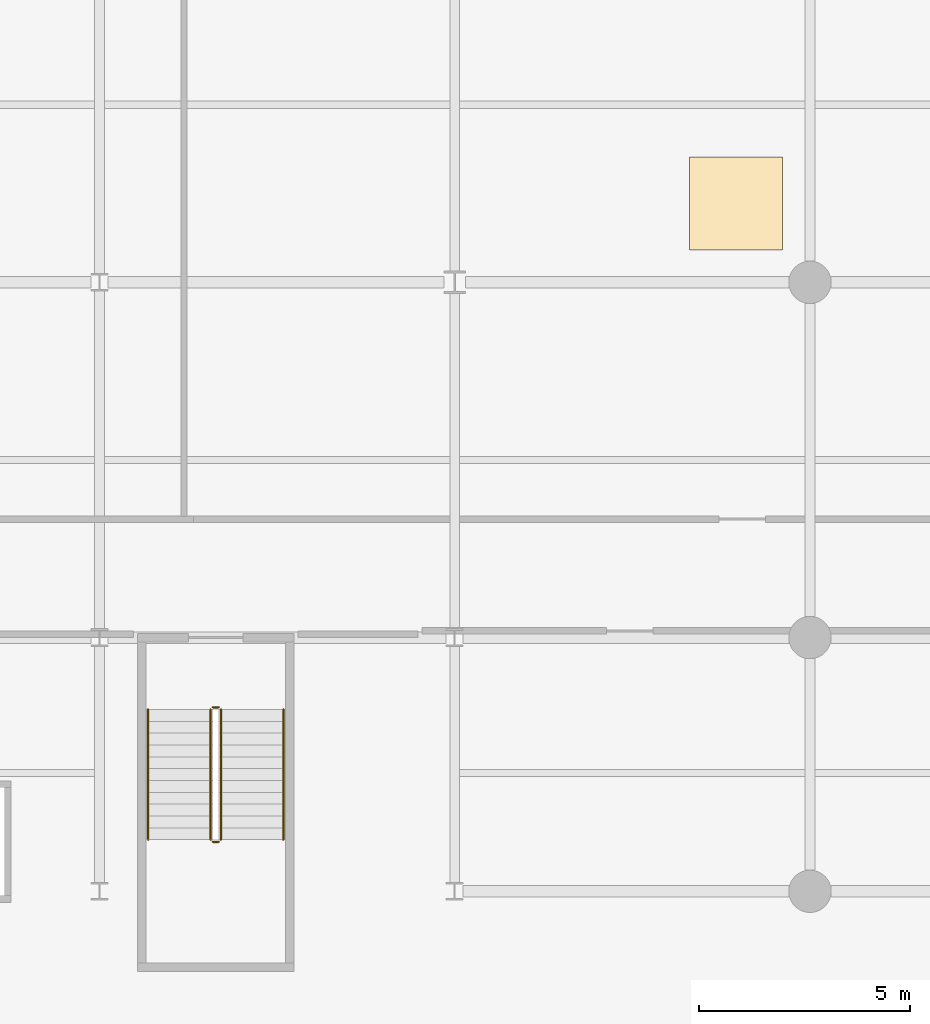
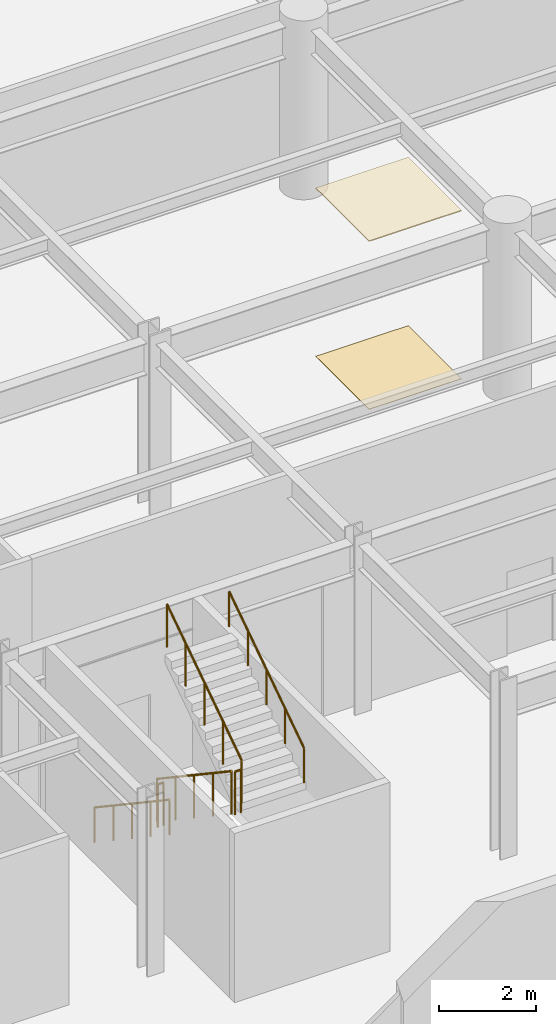
# One storey, part 22 of 26: 6 railings, 2 coverings.
"""IFC4 building model written with IfcOpenShell, lengths in metres."""

from ifc_helpers import new_model, si_unit, direction, frame, origin, origin_2d, place, context, subcontext, project, spatial, rectangle, circle, extrude, material, layer, layer_set, type_object, element, save


model = new_model("IFC4")

# Units and contexts
model_context = context("Model", 3, precision=1e-05, world=origin(), true_north=direction((0.0, 1.0)))
body_context = subcontext(model_context, "Body", "Model", "MODEL_VIEW")
ifc_project = project(units=[si_unit("LENGTHUNIT", "METRE"), si_unit("AREAUNIT", "SQUARE_METRE"), si_unit("VOLUMEUNIT", "CUBIC_METRE"), si_unit("PLANEANGLEUNIT", "RADIAN"), si_unit("MASSUNIT", "GRAM", prefix="KILO")], contexts=[model_context])

# Site, building, storey
site_placement = place(None, origin())
site = spatial("IfcSite", under=ifc_project, at=site_placement, CompositionType="ELEMENT")
building_placement = place(site_placement, origin())
building = spatial("IfcBuilding", under=site, at=building_placement, Name="Varnakote Quay Hospital", CompositionType="ELEMENT")
storey_placement = place(building_placement, frame((0.0, 0.0, 9.0)))
storey = spatial("IfcBuildingStorey", under=building, at=storey_placement, Name="L02", CompositionType="ELEMENT", Elevation=9.0)

# Coverings
ifc_material_1 = material(Name="Antimicrobial acoustic mineral ceiling tile", Category="gypsum")
ifc_layer_1 = layer(ifc_material_1, 0.02490234375)
ifc_layer_set_1 = layer_set([ifc_layer_1], Name="Antimicrobial acoustic mineral ceiling tile")
covering_type_1 = type_object("IfcCoveringType", Name="COV-CLIN-CEIL-25", PredefinedType="CEILING", material=ifc_layer_set_1)
covering_1_placement = place(storey_placement, frame((57.050048828125, 22.260009765625, 4.22509765625), z_axis=(0.0, 0.0, 1.0), x_axis=(1.0, 0.0, 0.0)))
element("IfcCovering", 1, at=covering_1_placement, inside=storey, type_object=covering_type_1, Name="L02 Antimicrobial Acoustic Ceiling Tile", PredefinedType="CEILING", context=body_context, shape_type="SweptSolid", body=[
    extrude(rectangle(XDim=2.199951171875, YDim=2.199951171875, at=origin_2d()), origin(), (0.0, 0.0, 1.0), 0.02490234375),
])
ifc_material_2 = material(Name="Seamless clinical sheet vinyl flooring")
ifc_layer_2 = layer(ifc_material_2, 0.011962890625)
ifc_layer_set_2 = layer_set([ifc_layer_2], Name="Seamless clinical sheet vinyl flooring")
covering_type_2 = type_object("IfcCoveringType", Name="COV-CLIN-VINYL-12", PredefinedType="FLOORING", material=ifc_layer_set_2)
covering_2_placement = place(storey_placement, frame((57.050048828125, 22.260009765625, 0.0), z_axis=(0.0, 0.0, 1.0), x_axis=(1.0, 0.0, 0.0)))
element("IfcCovering", 2, at=covering_2_placement, inside=storey, type_object=covering_type_2, Name="L02 Seamless Clinical Vinyl Flooring", PredefinedType="FLOORING", context=body_context, shape_type="SweptSolid", body=[
    extrude(rectangle(XDim=2.199951171875, YDim=2.199951171875, at=origin_2d()), origin(), (0.0, 0.0, 1.0), 0.011962890625),
])

# Railings
ifc_material_3 = material(Name="Brushed stainless steel balustrade", Category="steel")
railing_type_1 = type_object("IfcRailingType", Name="RLG-STAIR-GUARD-1150", PredefinedType="GUARDRAIL", material=ifc_material_3)
railing_1_placement = place(storey_placement, frame((44.6298828125, 10.300048828125, 0.1875)))
element("IfcRailing", 3, at=railing_1_placement, inside=storey, type_object=railing_type_1, Name="L02 ST-03 stair guard 1", PredefinedType="GUARDRAIL", context=body_context, shape_type="SweptSolid", body=[
    extrude(circle(Radius=0.02392578125, at=origin_2d()), frame((0.0, 0.0, 1.076171875), z_axis=(0.0, -0.830913701846, 0.55640131208), x_axis=(1.0, 0.0, 0.0)), (0.0, 0.0, 1.0), 3.706787109375),
    extrude(circle(Radius=0.02099609375, at=origin_2d()), origin(), (0.0, 0.0, 1.0), 1.052001953125),
    extrude(circle(Radius=0.02099609375, at=origin_2d()), frame((0.0, -0.77001953125, 0.515625)), (0.0, 0.0, 1.0), 1.052001953125),
    extrude(circle(Radius=0.02099609375, at=origin_2d()), frame((0.0, -1.5400390625, 1.03125)), (0.0, 0.0, 1.0), 1.052001953125),
    extrude(circle(Radius=0.02099609375, at=origin_2d()), frame((0.0, -2.31005859375, 1.546875)), (0.0, 0.0, 1.0), 1.052001953125),
    extrude(circle(Radius=0.02099609375, at=origin_2d()), frame((0.0, -3.080078125, 2.0625)), (0.0, 0.0, 1.0), 1.052001953125),
])
railing_2_placement = place(storey_placement, frame((44.679931640625, 7.169921875, 2.25)))
element("IfcRailing", 4, at=railing_2_placement, inside=storey, type_object=railing_type_1, Name="L02 ST-03 stair guard 2", PredefinedType="GUARDRAIL", context=body_context, shape_type="SweptSolid", body=[
    extrude(circle(Radius=0.02392578125, at=origin_2d()), frame((0.0, 0.0, 1.076171875), z_axis=(1.0, 0.0, 0.0), x_axis=(0.0, 1.0, 0.0)), (0.0, 0.0, 1.0), 0.14013671875),
    extrude(circle(Radius=0.02099609375, at=origin_2d()), origin(), (0.0, 0.0, 1.0), 1.052001953125),
    extrude(circle(Radius=0.02099609375, at=origin_2d()), frame((0.14013671875, 0.0, 0.0)), (0.0, 0.0, 1.0), 1.052001953125),
])
railing_3_placement = place(storey_placement, frame((44.8701171875, 7.219970703125, 2.4375)))
element("IfcRailing", 5, at=railing_3_placement, inside=storey, type_object=railing_type_1, Name="L02 ST-03 stair guard 3", PredefinedType="GUARDRAIL", context=body_context, shape_type="SweptSolid", body=[
    extrude(circle(Radius=0.02392578125, at=origin_2d()), frame((0.0, 0.0, 1.076171875), z_axis=(0.0, 0.830913701846, 0.55640131208), x_axis=(-1.0, 0.0, 0.0)), (0.0, 0.0, 1.0), 3.706787109375),
    extrude(circle(Radius=0.02099609375, at=origin_2d()), origin(), (0.0, 0.0, 1.0), 1.052001953125),
    extrude(circle(Radius=0.02099609375, at=origin_2d()), frame((0.0, 0.77001953125, 0.515625)), (0.0, 0.0, 1.0), 1.052001953125),
    extrude(circle(Radius=0.02099609375, at=origin_2d()), frame((0.0, 1.5400390625, 1.03125)), (0.0, 0.0, 1.0), 1.052001953125),
    extrude(circle(Radius=0.02099609375, at=origin_2d()), frame((0.0, 2.31005859375, 1.546875)), (0.0, 0.0, 1.0), 1.052001953125),
    extrude(circle(Radius=0.02099609375, at=origin_2d()), frame((0.0, 3.080078125, 2.0625)), (0.0, 0.0, 1.0), 1.052001953125),
])
railing_4_placement = place(storey_placement, frame((44.679931640625, 10.35009765625, 0.0)))
element("IfcRailing", 6, at=railing_4_placement, inside=storey, type_object=railing_type_1, Name="L02 ST-03 stair guard 4", PredefinedType="GUARDRAIL", context=body_context, shape_type="SweptSolid", body=[
    extrude(circle(Radius=0.02392578125, at=origin_2d()), frame((0.0, 0.0, 1.076171875), z_axis=(1.0, 0.0, 0.0), x_axis=(0.0, 1.0, 0.0)), (0.0, 0.0, 1.0), 0.14013671875),
    extrude(circle(Radius=0.02099609375, at=origin_2d()), origin(), (0.0, 0.0, 1.0), 1.052001953125),
    extrude(circle(Radius=0.02099609375, at=origin_2d()), frame((0.14013671875, 0.0, 0.0)), (0.0, 0.0, 1.0), 1.052001953125),
])
ifc_material_4 = material(Name="Brushed stainless steel handrail", Category="steel")
railing_type_2 = type_object("IfcRailingType", Name="RLG-STAIR-HND-920", PredefinedType="HANDRAIL", material=ifc_material_4)
railing_5_placement = place(storey_placement, frame((43.14990234375, 10.300048828125, 0.1875)))
element("IfcRailing", 7, at=railing_5_placement, inside=storey, type_object=railing_type_2, Name="L02 ST-03 stair handrail 1", PredefinedType="HANDRAIL", context=body_context, shape_type="SweptSolid", body=[
    extrude(circle(Radius=0.02392578125, at=origin_2d()), frame((0.0, 0.0, 0.8759765625), z_axis=(0.0, -0.830913701846, 0.55640131208), x_axis=(1.0, 0.0, 0.0)), (0.0, 0.0, 1.0), 3.706787109375),
    extrude(circle(Radius=0.02099609375, at=origin_2d()), origin(), (0.0, 0.0, 1.0), 0.851806640625),
    extrude(circle(Radius=0.02099609375, at=origin_2d()), frame((0.0, -0.77001953125, 0.515625)), (0.0, 0.0, 1.0), 0.851806640625),
    extrude(circle(Radius=0.02099609375, at=origin_2d()), frame((0.0, -1.5400390625, 1.03125)), (0.0, 0.0, 1.0), 0.851806640625),
    extrude(circle(Radius=0.02099609375, at=origin_2d()), frame((0.0, -2.31005859375, 1.546875)), (0.0, 0.0, 1.0), 0.851806640625),
    extrude(circle(Radius=0.02099609375, at=origin_2d()), frame((0.0, -3.080078125, 2.0625)), (0.0, 0.0, 1.0), 0.851806640625),
])
railing_6_placement = place(storey_placement, frame((46.35009765625, 7.219970703125, 2.4375)))
element("IfcRailing", 8, at=railing_6_placement, inside=storey, type_object=railing_type_2, Name="L02 ST-03 stair handrail 2", PredefinedType="HANDRAIL", context=body_context, shape_type="SweptSolid", body=[
    extrude(circle(Radius=0.02392578125, at=origin_2d()), frame((0.0, 0.0, 0.8759765625), z_axis=(0.0, 0.830913701846, 0.55640131208), x_axis=(-1.0, 0.0, 0.0)), (0.0, 0.0, 1.0), 3.706787109375),
    extrude(circle(Radius=0.02099609375, at=origin_2d()), origin(), (0.0, 0.0, 1.0), 0.851806640625),
    extrude(circle(Radius=0.02099609375, at=origin_2d()), frame((0.0, 0.77001953125, 0.515625)), (0.0, 0.0, 1.0), 0.851806640625),
    extrude(circle(Radius=0.02099609375, at=origin_2d()), frame((0.0, 1.5400390625, 1.03125)), (0.0, 0.0, 1.0), 0.851806640625),
    extrude(circle(Radius=0.02099609375, at=origin_2d()), frame((0.0, 2.31005859375, 1.546875)), (0.0, 0.0, 1.0), 0.851806640625),
    extrude(circle(Radius=0.02099609375, at=origin_2d()), frame((0.0, 3.080078125, 2.0625)), (0.0, 0.0, 1.0), 0.851806640625),
])

save(model, "model.ifc")
